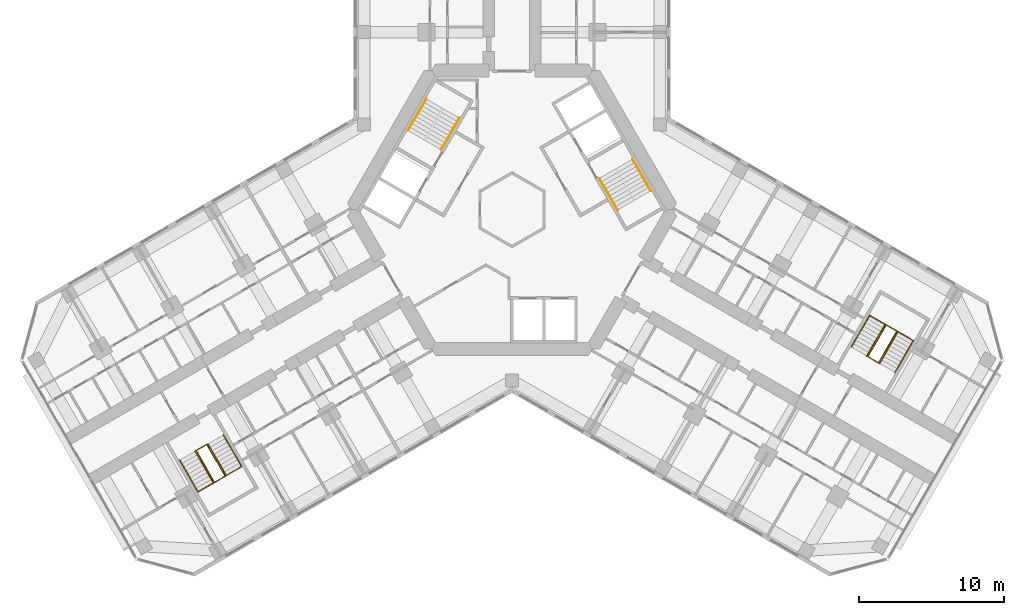
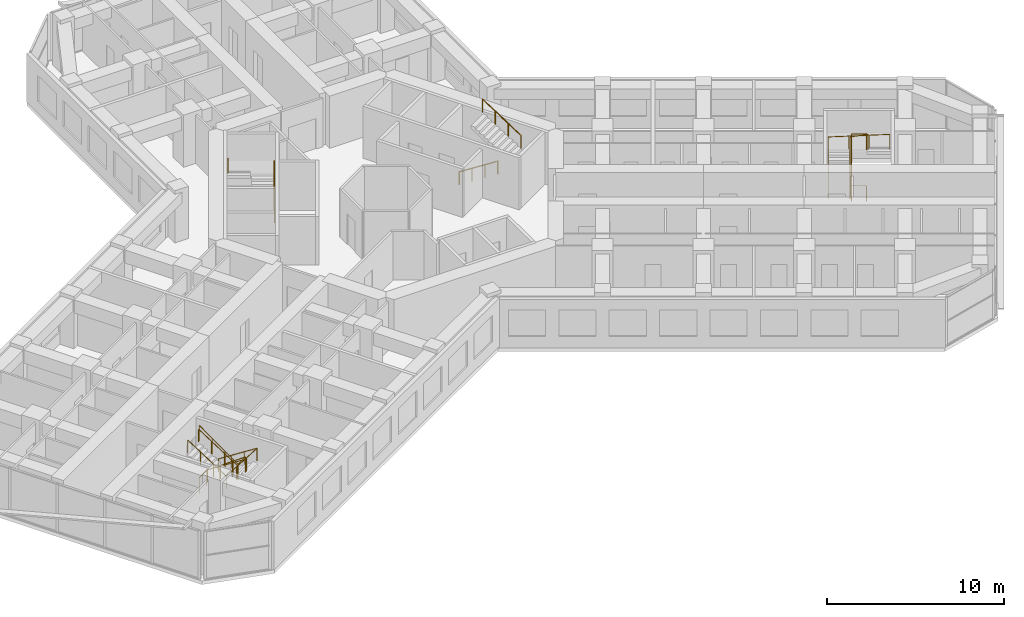
# One storey, part 19 of 19: 10 railings.
"""IFC4 building model written with IfcOpenShell, lengths in metres."""

from ifc_helpers import new_model, si_unit, direction, frame, origin, origin_2d, place, context, subcontext, project, spatial, circle, extrude, material, type_object, element, save


model = new_model("IFC4")

# Units and contexts
model_context = context("Model", 3, precision=1e-05, world=origin(), true_north=direction((0.0, 1.0)))
body_context = subcontext(model_context, "Body", "Model", "MODEL_VIEW")
ifc_project = project(units=[si_unit("LENGTHUNIT", "METRE"), si_unit("AREAUNIT", "SQUARE_METRE"), si_unit("VOLUMEUNIT", "CUBIC_METRE"), si_unit("PLANEANGLEUNIT", "RADIAN"), si_unit("MASSUNIT", "GRAM", prefix="KILO")], contexts=[model_context])

# Site, building, storey
site_placement = place(None, origin())
site = spatial("IfcSite", under=ifc_project, at=site_placement, CompositionType="ELEMENT")
building_placement = place(site_placement, origin())
building = spatial("IfcBuilding", under=site, at=building_placement, Name="Kosmar Iwan School Tower", CompositionType="ELEMENT")
storey_placement = place(building_placement, frame((0.0, 0.0, 138.199951171875)))
storey = spatial("IfcBuildingStorey", under=building, at=storey_placement, Name="L34", CompositionType="ELEMENT", Elevation=138.199951171875)

# Railings
ifc_material_1 = material(Name="Black steel", Category="steel")
railing_type_1 = type_object("IfcRailingType", Name="Stair handrail 900", PredefinedType="HANDRAIL", material=ifc_material_1)
railing_1_placement = place(storey_placement, frame((-4.89453125, 4.142333984375, 0.179931640625)))
element("IfcRailing", 1, at=railing_1_placement, inside=storey, type_object=railing_type_1, Name="Handrail ST2 flight 1", PredefinedType="HANDRAIL", context=body_context, shape_type="SweptSolid", body=[
    extrude(circle(Radius=0.02392578125, at=origin_2d()), frame((0.0, 0.0, 0.8759765625), z_axis=(0.420584145978, 0.728463801763, 0.540785970299), x_axis=(-0.866022637375, 0.500004791531, 0.0)), (0.0, 0.0, 1.0), 2.995849609375),
    extrude(circle(Radius=0.02099609375, at=origin_2d()), origin(), (0.0, 0.0, 1.0), 0.851806640625),
    extrude(circle(Radius=0.02099609375, at=origin_2d()), frame((0.419921875, 0.7275390625, 0.5400390625)), (0.0, 0.0, 1.0), 0.851806640625),
    extrude(circle(Radius=0.02099609375, at=origin_2d()), frame((0.840087890625, 1.454833984375, 1.080078125)), (0.0, 0.0, 1.0), 0.851806640625),
    extrude(circle(Radius=0.02099609375, at=origin_2d()), frame((1.260009765625, 2.182373046875, 1.6201171875)), (0.0, 0.0, 1.0), 0.851806640625),
])
railing_2_placement = place(storey_placement, frame((-5.912353515625, 7.6396484375, 1.97998046875)))
element("IfcRailing", 2, at=railing_2_placement, inside=storey, type_object=railing_type_1, Name="Handrail ST2 flight 2", PredefinedType="HANDRAIL", context=body_context, shape_type="SweptSolid", body=[
    extrude(circle(Radius=0.02392578125, at=origin_2d()), frame((0.0, 0.0, 0.8759765625), z_axis=(-0.420584145978, -0.728463801763, 0.540785970299), x_axis=(0.866022637375, -0.500004791531, 0.0)), (0.0, 0.0, 1.0), 2.995849609375),
    extrude(circle(Radius=0.02099609375, at=origin_2d()), origin(), (0.0, 0.0, 1.0), 0.851806640625),
    extrude(circle(Radius=0.02099609375, at=origin_2d()), frame((-0.419921875, -0.7275390625, 0.5400390625)), (0.0, 0.0, 1.0), 0.851806640625),
    extrude(circle(Radius=0.02099609375, at=origin_2d()), frame((-0.840087890625, -1.454833984375, 1.080078125)), (0.0, 0.0, 1.0), 0.851806640625),
    extrude(circle(Radius=0.02099609375, at=origin_2d()), frame((-1.260009765625, -2.182373046875, 1.6201171875)), (0.0, 0.0, 1.0), 0.851806640625),
])
railing_3_placement = place(storey_placement, frame((6.03466796875, 2.167724609375, 0.179931640625)))
element("IfcRailing", 3, at=railing_3_placement, inside=storey, type_object=railing_type_1, Name="Handrail ST1 flight 1", PredefinedType="HANDRAIL", context=body_context, shape_type="SweptSolid", body=[
    extrude(circle(Radius=0.02392578125, at=origin_2d()), frame((0.0, 0.0, 0.8759765625), z_axis=(0.420584145978, -0.728463801763, 0.540785970299), x_axis=(0.866022637375, 0.500004791531, 0.0)), (0.0, 0.0, 1.0), 2.995849609375),
    extrude(circle(Radius=0.02099609375, at=origin_2d()), origin(), (0.0, 0.0, 1.0), 0.851806640625),
    extrude(circle(Radius=0.02099609375, at=origin_2d()), frame((0.419921875, -0.7275390625, 0.5400390625)), (0.0, 0.0, 1.0), 0.851806640625),
    extrude(circle(Radius=0.02099609375, at=origin_2d()), frame((0.840087890625, -1.454833984375, 1.080078125)), (0.0, 0.0, 1.0), 0.851806640625),
    extrude(circle(Radius=0.02099609375, at=origin_2d()), frame((1.260009765625, -2.182373046875, 1.6201171875)), (0.0, 0.0, 1.0), 0.851806640625),
])
railing_4_placement = place(storey_placement, frame((9.572265625, 1.30029296875, 1.97998046875)))
element("IfcRailing", 4, at=railing_4_placement, inside=storey, type_object=railing_type_1, Name="Handrail ST1 flight 2", PredefinedType="HANDRAIL", context=body_context, shape_type="SweptSolid", body=[
    extrude(circle(Radius=0.02392578125, at=origin_2d()), frame((0.0, 0.0, 0.8759765625), z_axis=(-0.420584145978, 0.728463801763, 0.540785970299), x_axis=(-0.866022637375, -0.500004791531, 0.0)), (0.0, 0.0, 1.0), 2.995849609375),
    extrude(circle(Radius=0.02099609375, at=origin_2d()), origin(), (0.0, 0.0, 1.0), 0.851806640625),
    extrude(circle(Radius=0.02099609375, at=origin_2d()), frame((-0.419921875, 0.7275390625, 0.5400390625)), (0.0, 0.0, 1.0), 0.851806640625),
    extrude(circle(Radius=0.02099609375, at=origin_2d()), frame((-0.840087890625, 1.454833984375, 1.080078125)), (0.0, 0.0, 1.0), 0.851806640625),
    extrude(circle(Radius=0.02099609375, at=origin_2d()), frame((-1.260009765625, 2.182373046875, 1.6201171875)), (0.0, 0.0, 1.0), 0.851806640625),
])
railing_5_placement = place(storey_placement, frame((-19.9091796875, -15.5361328125, 0.179931640625)))
element("IfcRailing", 5, at=railing_5_placement, inside=storey, type_object=railing_type_1, Name="Handrail stair WS2 L34 wall side", PredefinedType="HANDRAIL", context=body_context, shape_type="SweptSolid", body=[
    extrude(circle(Radius=0.02392578125, at=origin_2d()), frame((0.0, 0.0, 0.8759765625), z_axis=(0.420517065106, -0.728488768407, 0.540804504659), x_axis=(0.866064587494, 0.499932125682, 0.0)), (0.0, 0.0, 1.0), 2.995849609375),
    extrude(circle(Radius=0.02392578125, at=origin_2d()), frame((1.259765625, -2.182373046875, 2.49609375), z_axis=(-0.864864352349, -0.499342858003, 0.051636829851), x_axis=(0.500009906705, -0.86601968407, 0.0)), (0.0, 0.0, 1.0), 3.484619140625),
    extrude(circle(Radius=0.02392578125, at=origin_2d()), frame((-1.75390625, -3.92236328125, 2.67578125), z_axis=(-0.420584145978, 0.728463801763, 0.540785970299), x_axis=(-0.866022637375, -0.500004791531, 0.0)), (0.0, 0.0, 1.0), 2.995849609375),
    extrude(circle(Radius=0.02099609375, at=origin_2d()), origin(), (0.0, 0.0, 1.0), 0.851806640625),
    extrude(circle(Radius=0.02099609375, at=origin_2d()), frame((0.419921875, -0.7275390625, 0.5400390625)), (0.0, 0.0, 1.0), 0.851806640625),
    extrude(circle(Radius=0.02099609375, at=origin_2d()), frame((0.83984375, -1.454833984375, 1.080078125)), (0.0, 0.0, 1.0), 0.851806640625),
    extrude(circle(Radius=0.02099609375, at=origin_2d()), frame((1.259765625, -2.182373046875, 1.6201171875)), (0.0, 0.0, 1.0), 0.851806640625),
    extrude(circle(Radius=0.02099609375, at=origin_2d()), frame((0.255126953125, -2.762451171875, 1.68017578125)), (0.0, 0.0, 1.0), 0.851806640625),
    extrude(circle(Radius=0.02099609375, at=origin_2d()), frame((-0.749267578125, -3.34228515625, 1.739990234375)), (0.0, 0.0, 1.0), 0.851806640625),
    extrude(circle(Radius=0.02099609375, at=origin_2d()), frame((-1.75390625, -3.92236328125, 1.800048828125)), (0.0, 0.0, 1.0), 0.851806640625),
    extrude(circle(Radius=0.02099609375, at=origin_2d()), frame((-2.173828125, -3.19482421875, 2.340087890625)), (0.0, 0.0, 1.0), 0.851806640625),
    extrude(circle(Radius=0.02099609375, at=origin_2d()), frame((-2.593994140625, -2.467529296875, 2.880126953125)), (0.0, 0.0, 1.0), 0.851806640625),
    extrude(circle(Radius=0.02099609375, at=origin_2d()), frame((-3.013916015625, -1.739990234375, 3.420166015625)), (0.0, 0.0, 1.0), 0.851806640625),
])
railing_6_placement = place(storey_placement, frame((-20.974609375, -16.151123046875, 0.179931640625)))
element("IfcRailing", 6, at=railing_6_placement, inside=storey, type_object=railing_type_1, Name="Handrail stair WS2 L34 well side", PredefinedType="HANDRAIL", context=body_context, shape_type="SweptSolid", body=[
    extrude(circle(Radius=0.02392578125, at=origin_2d()), frame((0.0, 0.0, 0.8759765625), z_axis=(0.420584145978, -0.728463801763, 0.540785970299), x_axis=(0.866022637375, 0.500004791531, 0.0)), (0.0, 0.0, 1.0), 2.995849609375),
    extrude(circle(Radius=0.02392578125, at=origin_2d()), frame((1.260009765625, -2.182373046875, 2.49609375), z_axis=(-0.852841519511, -0.492422867401, 0.173726976197), x_axis=(0.500026340207, -0.866010195725, 0.0)), (0.0, 0.0, 1.0), 1.03564453125),
    extrude(circle(Radius=0.02392578125, at=origin_2d()), frame((0.376708984375, -2.6923828125, 2.67578125), z_axis=(-0.420584145978, 0.728463801763, 0.540785970299), x_axis=(-0.866022637375, -0.500004791531, 0.0)), (0.0, 0.0, 1.0), 2.995849609375),
    extrude(circle(Radius=0.02099609375, at=origin_2d()), origin(), (0.0, 0.0, 1.0), 0.851806640625),
    extrude(circle(Radius=0.02099609375, at=origin_2d()), frame((0.419921875, -0.7275390625, 0.5400390625)), (0.0, 0.0, 1.0), 0.851806640625),
    extrude(circle(Radius=0.02099609375, at=origin_2d()), frame((0.840087890625, -1.454833984375, 1.080078125)), (0.0, 0.0, 1.0), 0.851806640625),
    extrude(circle(Radius=0.02099609375, at=origin_2d()), frame((1.260009765625, -2.182373046875, 1.6201171875)), (0.0, 0.0, 1.0), 0.851806640625),
    extrude(circle(Radius=0.02099609375, at=origin_2d()), frame((0.376708984375, -2.6923828125, 1.800048828125)), (0.0, 0.0, 1.0), 0.851806640625),
    extrude(circle(Radius=0.02099609375, at=origin_2d()), frame((-0.043212890625, -1.96484375, 2.340087890625)), (0.0, 0.0, 1.0), 0.851806640625),
    extrude(circle(Radius=0.02099609375, at=origin_2d()), frame((-0.46337890625, -1.237548828125, 2.880126953125)), (0.0, 0.0, 1.0), 0.851806640625),
    extrude(circle(Radius=0.02099609375, at=origin_2d()), frame((-0.88330078125, -0.510009765625, 3.420166015625)), (0.0, 0.0, 1.0), 0.851806640625),
])
railing_7_placement = place(storey_placement, frame((23.4091796875, -9.473876953125, 0.179931640625)))
element("IfcRailing", 7, at=railing_7_placement, inside=storey, type_object=railing_type_1, Name="Handrail stair WS3 L34 wall side", PredefinedType="HANDRAIL", context=body_context, shape_type="SweptSolid", body=[
    extrude(circle(Radius=0.02392578125, at=origin_2d()), frame((0.0, 0.0, 0.8759765625), z_axis=(0.420584145978, 0.728463801763, 0.540785970299), x_axis=(-0.866022637375, 0.500004791531, 0.0)), (0.0, 0.0, 1.0), 2.995849609375),
    extrude(circle(Radius=0.02392578125, at=origin_2d()), frame((1.260009765625, 2.182373046875, 2.49609375), z_axis=(0.864882007433, -0.499312601618, 0.051633701051), x_axis=(0.499979528911, 0.866037222451, 0.0)), (0.0, 0.0, 1.0), 3.48486328125),
    extrude(circle(Radius=0.02392578125, at=origin_2d()), frame((4.27392578125, 0.4423828125, 2.67578125), z_axis=(-0.420584145978, -0.728463801763, 0.540785970299), x_axis=(0.866022637375, -0.500004791531, 0.0)), (0.0, 0.0, 1.0), 2.995849609375),
    extrude(circle(Radius=0.02099609375, at=origin_2d()), origin(), (0.0, 0.0, 1.0), 0.851806640625),
    extrude(circle(Radius=0.02099609375, at=origin_2d()), frame((0.419921875, 0.7275390625, 0.5400390625)), (0.0, 0.0, 1.0), 0.851806640625),
    extrude(circle(Radius=0.02099609375, at=origin_2d()), frame((0.840087890625, 1.454833984375, 1.080078125)), (0.0, 0.0, 1.0), 0.851806640625),
    extrude(circle(Radius=0.02099609375, at=origin_2d()), frame((1.260009765625, 2.182373046875, 1.6201171875)), (0.0, 0.0, 1.0), 0.851806640625),
    extrude(circle(Radius=0.02099609375, at=origin_2d()), frame((2.2646484375, 1.602294921875, 1.68017578125)), (0.0, 0.0, 1.0), 0.851806640625),
    extrude(circle(Radius=0.02099609375, at=origin_2d()), frame((3.269287109375, 1.0224609375, 1.739990234375)), (0.0, 0.0, 1.0), 0.851806640625),
    extrude(circle(Radius=0.02099609375, at=origin_2d()), frame((4.27392578125, 0.4423828125, 1.800048828125)), (0.0, 0.0, 1.0), 0.851806640625),
    extrude(circle(Radius=0.02099609375, at=origin_2d()), frame((3.85400390625, -0.28515625, 2.340087890625)), (0.0, 0.0, 1.0), 0.851806640625),
    extrude(circle(Radius=0.02099609375, at=origin_2d()), frame((3.433837890625, -1.012451171875, 2.880126953125)), (0.0, 0.0, 1.0), 0.851806640625),
    extrude(circle(Radius=0.02099609375, at=origin_2d()), frame((3.013916015625, -1.739990234375, 3.420166015625)), (0.0, 0.0, 1.0), 0.851806640625),
])
railing_8_placement = place(storey_placement, frame((24.474609375, -10.0888671875, 0.179931640625)))
element("IfcRailing", 8, at=railing_8_placement, inside=storey, type_object=railing_type_1, Name="Handrail stair WS3 L34 well side", PredefinedType="HANDRAIL", context=body_context, shape_type="SweptSolid", body=[
    extrude(circle(Radius=0.02392578125, at=origin_2d()), frame((0.0, 0.0, 0.8759765625), z_axis=(0.420584145978, 0.728463801763, 0.540785970299), x_axis=(-0.866022637375, 0.500004791531, 0.0)), (0.0, 0.0, 1.0), 2.995849609375),
    extrude(circle(Radius=0.02392578125, at=origin_2d()), frame((1.260009765625, 2.182373046875, 2.49609375), z_axis=(0.852841519511, -0.492422867401, 0.173726976197), x_axis=(0.500026340207, 0.866010195725, 0.0)), (0.0, 0.0, 1.0), 1.03564453125),
    extrude(circle(Radius=0.02392578125, at=origin_2d()), frame((2.143310546875, 1.67236328125, 2.67578125), z_axis=(-0.420584145978, -0.728463801763, 0.540785970299), x_axis=(0.866022637375, -0.500004791531, 0.0)), (0.0, 0.0, 1.0), 2.995849609375),
    extrude(circle(Radius=0.02099609375, at=origin_2d()), origin(), (0.0, 0.0, 1.0), 0.851806640625),
    extrude(circle(Radius=0.02099609375, at=origin_2d()), frame((0.419921875, 0.7275390625, 0.5400390625)), (0.0, 0.0, 1.0), 0.851806640625),
    extrude(circle(Radius=0.02099609375, at=origin_2d()), frame((0.840087890625, 1.454833984375, 1.080078125)), (0.0, 0.0, 1.0), 0.851806640625),
    extrude(circle(Radius=0.02099609375, at=origin_2d()), frame((1.260009765625, 2.182373046875, 1.6201171875)), (0.0, 0.0, 1.0), 0.851806640625),
    extrude(circle(Radius=0.02099609375, at=origin_2d()), frame((2.143310546875, 1.67236328125, 1.800048828125)), (0.0, 0.0, 1.0), 0.851806640625),
    extrude(circle(Radius=0.02099609375, at=origin_2d()), frame((1.723388671875, 0.94482421875, 2.340087890625)), (0.0, 0.0, 1.0), 0.851806640625),
    extrude(circle(Radius=0.02099609375, at=origin_2d()), frame((1.30322265625, 0.217529296875, 2.880126953125)), (0.0, 0.0, 1.0), 0.851806640625),
    extrude(circle(Radius=0.02099609375, at=origin_2d()), frame((0.88330078125, -0.510009765625, 3.420166015625)), (0.0, 0.0, 1.0), 0.851806640625),
])
ifc_material_2 = material(Name="Black steel", Category="steel")
railing_type_2 = type_object("IfcRailingType", Name="Stair well guard 1100", PredefinedType="GUARDRAIL", material=ifc_material_2)
railing_9_placement = place(storey_placement, frame((-21.780029296875, -16.6162109375, 0.0)))
element("IfcRailing", 9, at=railing_9_placement, inside=storey, type_object=railing_type_2, Name="Stair WS2 L34 well guard", PredefinedType="GUARDRAIL", context=body_context, shape_type="SweptSolid", body=[
    extrude(circle(Radius=0.02392578125, at=origin_2d()), frame((0.0, 0.0, 1.076171875), z_axis=(0.865962960534, 0.500108139288, 0.0), x_axis=(-0.500108139288, 0.865962960534, 0.0)), (0.0, 0.0, 1.0), 0.840087890625),
    extrude(circle(Radius=0.02392578125, at=origin_2d()), frame((0.7275390625, 0.420166015625, 1.076171875), z_axis=(0.40686665399, -0.704704712268, 0.58124933925), x_axis=(0.866022637375, 0.500004791531, 0.0)), (0.0, 0.0, 1.0), 3.096923828125),
    extrude(circle(Radius=0.02392578125, at=origin_2d()), frame((1.987548828125, -1.76220703125, 2.8759765625), z_axis=(-0.865962960534, -0.500108139288, 0.0), x_axis=(0.500108139288, -0.865962960534, 0.0)), (0.0, 0.0, 1.0), 0.840087890625),
    extrude(circle(Radius=0.02392578125, at=origin_2d()), frame((1.260009765625, -2.182373046875, 2.8759765625), z_axis=(-0.40686665399, 0.704704712268, 0.58124933925), x_axis=(-0.866022637375, -0.500004791531, 0.0)), (0.0, 0.0, 1.0), 3.096923828125),
    extrude(circle(Radius=0.02099609375, at=origin_2d()), origin(), (0.0, 0.0, 1.0), 1.052001953125),
    extrude(circle(Radius=0.02099609375, at=origin_2d()), frame((0.7275390625, 0.420166015625, 0.0)), (0.0, 0.0, 1.0), 1.052001953125),
    extrude(circle(Radius=0.02099609375, at=origin_2d()), frame((1.1474609375, -0.307373046875, 0.60009765625)), (0.0, 0.0, 1.0), 1.052001953125),
    extrude(circle(Radius=0.02099609375, at=origin_2d()), frame((1.567626953125, -1.03466796875, 1.199951171875)), (0.0, 0.0, 1.0), 1.052001953125),
    extrude(circle(Radius=0.02099609375, at=origin_2d()), frame((1.987548828125, -1.76220703125, 1.800048828125)), (0.0, 0.0, 1.0), 1.052001953125),
    extrude(circle(Radius=0.02099609375, at=origin_2d()), frame((1.260009765625, -2.182373046875, 1.800048828125)), (0.0, 0.0, 1.0), 1.052001953125),
    extrude(circle(Radius=0.02099609375, at=origin_2d()), frame((0.840087890625, -1.454833984375, 2.400146484375)), (0.0, 0.0, 1.0), 1.052001953125),
    extrude(circle(Radius=0.02099609375, at=origin_2d()), frame((0.419921875, -0.7275390625, 3.0)), (0.0, 0.0, 1.0), 1.052001953125),
    extrude(circle(Radius=0.02099609375, at=origin_2d()), frame((0.0, 0.0, 3.60009765625)), (0.0, 0.0, 1.0), 1.052001953125),
])
railing_10_placement = place(storey_placement, frame((25.280029296875, -10.553955078125, 0.0)))
element("IfcRailing", 10, at=railing_10_placement, inside=storey, type_object=railing_type_2, Name="Stair WS3 L34 well guard", PredefinedType="GUARDRAIL", context=body_context, shape_type="SweptSolid", body=[
    extrude(circle(Radius=0.02392578125, at=origin_2d()), frame((0.0, 0.0, 1.076171875), z_axis=(-0.865962960534, 0.500108139288, 0.0), x_axis=(-0.500108139288, -0.865962960534, 0.0)), (0.0, 0.0, 1.0), 0.840087890625),
    extrude(circle(Radius=0.02392578125, at=origin_2d()), frame((-0.7275390625, 0.420166015625, 1.076171875), z_axis=(0.40686665399, 0.704704712268, 0.58124933925), x_axis=(-0.866022637375, 0.500004791531, 0.0)), (0.0, 0.0, 1.0), 3.096923828125),
    extrude(circle(Radius=0.02392578125, at=origin_2d()), frame((0.532470703125, 2.6025390625, 2.8759765625), z_axis=(0.865890253765, -0.500234013672, 0.0), x_axis=(0.500234013672, 0.865890253765, 0.0)), (0.0, 0.0, 1.0), 0.83984375),
    extrude(circle(Radius=0.02392578125, at=origin_2d()), frame((1.259765625, 2.182373046875, 2.8759765625), z_axis=(-0.406800866334, -0.70472731476, 0.58126798207), x_axis=(0.866064587494, -0.499932125682, 0.0)), (0.0, 0.0, 1.0), 3.0966796875),
    extrude(circle(Radius=0.02099609375, at=origin_2d()), origin(), (0.0, 0.0, 1.0), 1.052001953125),
    extrude(circle(Radius=0.02099609375, at=origin_2d()), frame((-0.7275390625, 0.420166015625, 0.0)), (0.0, 0.0, 1.0), 1.052001953125),
    extrude(circle(Radius=0.02099609375, at=origin_2d()), frame((-0.3076171875, 1.147705078125, 0.60009765625)), (0.0, 0.0, 1.0), 1.052001953125),
    extrude(circle(Radius=0.02099609375, at=origin_2d()), frame((0.112548828125, 1.875, 1.199951171875)), (0.0, 0.0, 1.0), 1.052001953125),
    extrude(circle(Radius=0.02099609375, at=origin_2d()), frame((0.532470703125, 2.6025390625, 1.800048828125)), (0.0, 0.0, 1.0), 1.052001953125),
    extrude(circle(Radius=0.02099609375, at=origin_2d()), frame((1.259765625, 2.182373046875, 1.800048828125)), (0.0, 0.0, 1.0), 1.052001953125),
    extrude(circle(Radius=0.02099609375, at=origin_2d()), frame((0.83984375, 1.454833984375, 2.400146484375)), (0.0, 0.0, 1.0), 1.052001953125),
    extrude(circle(Radius=0.02099609375, at=origin_2d()), frame((0.419921875, 0.7275390625, 3.0)), (0.0, 0.0, 1.0), 1.052001953125),
    extrude(circle(Radius=0.02099609375, at=origin_2d()), frame((0.0, 0.0, 3.60009765625)), (0.0, 0.0, 1.0), 1.052001953125),
])

save(model, "model.ifc")
